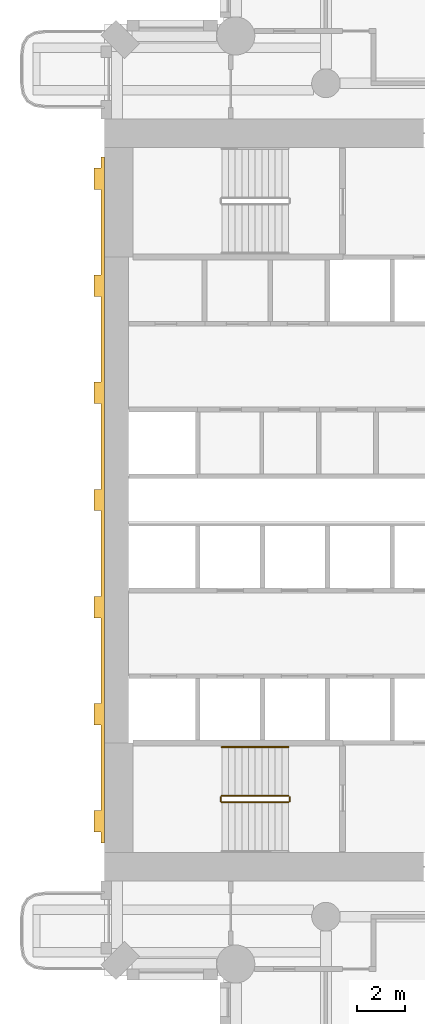
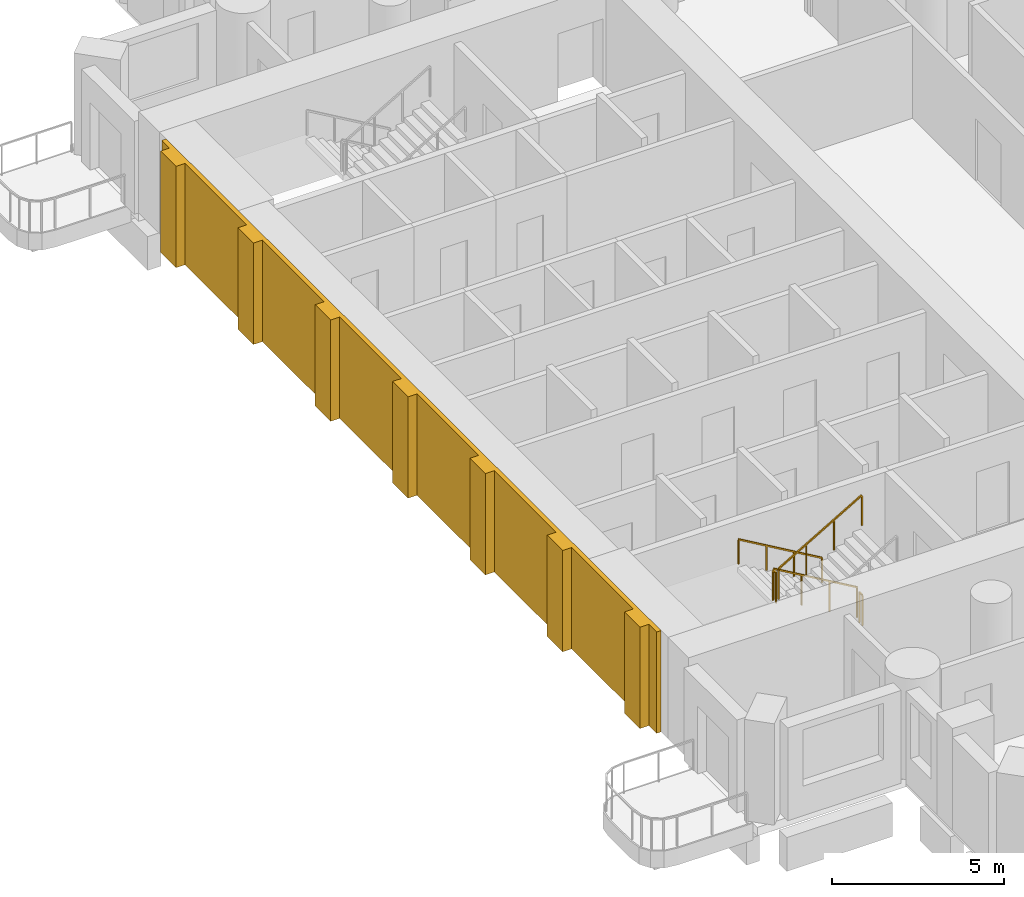
# One storey, part 14 of 20: 5 railings, 1 covering.
"""IFC4 building model written with IfcOpenShell, lengths in metres."""

from ifc_helpers import new_model, si_unit, direction, frame, origin, origin_2d, place, context, subcontext, project, spatial, polyline, rectangle, outline, extrude, material, layer, layer_set, type_object, element, save


model = new_model("IFC4")

# Units and contexts
model_context = context("Model", 3, precision=1e-05, world=origin(), true_north=direction((0.0, 1.0)))
body_context = subcontext(model_context, "Body", "Model", "MODEL_VIEW")
ifc_project = project(units=[si_unit("LENGTHUNIT", "METRE"), si_unit("AREAUNIT", "SQUARE_METRE"), si_unit("VOLUMEUNIT", "CUBIC_METRE"), si_unit("PLANEANGLEUNIT", "RADIAN"), si_unit("MASSUNIT", "GRAM", prefix="KILO")], contexts=[model_context])

# Site, building, storey
site_placement = place(None, origin())
site = spatial("IfcSite", under=ifc_project, at=site_placement, CompositionType="ELEMENT")
building_placement = place(site_placement, origin())
building = spatial("IfcBuilding", under=site, at=building_placement, Name="Cypress Arch Tower", CompositionType="ELEMENT")
storey_placement = place(building_placement, frame((0.0, 0.0, 80.699951171875)))
storey = spatial("IfcBuildingStorey", under=building, at=storey_placement, Name="L14", CompositionType="ELEMENT", Elevation=80.699951171875)

# Railings
ifc_material_1 = material(Name="Black powder-coated steel square bar 48 mm", Category="steel")
railing_type_1 = type_object("IfcRailingType", Name="Stair handrail HR1", PredefinedType="HANDRAIL", material=ifc_material_1)
railing_1_placement = place(storey_placement, frame((-22.27490234375, -10.375, 0.16357421875)))
element("IfcRailing", 1, at=railing_1_placement, inside=storey, type_object=railing_type_1, Name="L14 A stair handrail 1", PredefinedType="HANDRAIL", context=body_context, shape_type="SweptSolid", body=[
    extrude(rectangle(XDim=0.048095703125, YDim=0.048095703125, at=origin_2d()), frame((0.0, 0.0, 0.8759765625), z_axis=(-0.863360870873, 0.0, 0.504586966384), x_axis=(0.0, -1.0, 0.0)), (0.0, 0.0, 1.0), 3.2431640625),
    extrude(rectangle(XDim=0.0419921875, YDim=0.0419921875, at=origin_2d()), origin(), (0.0, 0.0, 1.0), 0.851806640625),
    extrude(rectangle(XDim=0.0419921875, YDim=0.0419921875, at=origin_2d()), frame((-0.933349609375, 0.0, 0.54541015625)), (0.0, 0.0, 1.0), 0.851806640625),
    extrude(rectangle(XDim=0.0419921875, YDim=0.0419921875, at=origin_2d()), frame((-1.86669921875, 0.0, 1.091064453125)), (0.0, 0.0, 1.0), 0.851806640625),
    extrude(rectangle(XDim=0.0419921875, YDim=0.0419921875, at=origin_2d()), frame((-2.800048828125, 0.0, 1.636474609375)), (0.0, 0.0, 1.0), 0.851806640625),
])
ifc_material_2 = material(Name="Black powder-coated steel balusters", Category="steel")
railing_type_2 = type_object("IfcRailingType", Name="Stair well guard G1", PredefinedType="GUARDRAIL", material=ifc_material_2)
railing_2_placement = place(storey_placement, frame((-22.27490234375, -12.425048828125, 0.16357421875)))
element("IfcRailing", 2, at=railing_2_placement, inside=storey, type_object=railing_type_2, Name="L14 A stair guard 1", PredefinedType="GUARDRAIL", context=body_context, shape_type="SweptSolid", body=[
    extrude(rectangle(XDim=0.048095703125, YDim=0.048095703125, at=origin_2d()), frame((0.0, 0.0, 1.076171875), z_axis=(-0.863360870873, 0.0, 0.504586966384), x_axis=(0.0, -1.0, 0.0)), (0.0, 0.0, 1.0), 3.2431640625),
    extrude(rectangle(XDim=0.0419921875, YDim=0.0419921875, at=origin_2d()), origin(), (0.0, 0.0, 1.0), 1.052001953125),
    extrude(rectangle(XDim=0.0419921875, YDim=0.0419921875, at=origin_2d()), frame((-0.933349609375, 0.0, 0.54541015625)), (0.0, 0.0, 1.0), 1.052001953125),
    extrude(rectangle(XDim=0.0419921875, YDim=0.0419921875, at=origin_2d()), frame((-1.86669921875, 0.0, 1.091064453125)), (0.0, 0.0, 1.0), 1.052001953125),
    extrude(rectangle(XDim=0.0419921875, YDim=0.0419921875, at=origin_2d()), frame((-2.800048828125, 0.0, 1.636474609375)), (0.0, 0.0, 1.0), 1.052001953125),
])
railing_3_placement = place(storey_placement, frame((-25.125, -12.47509765625, 1.800048828125)))
element("IfcRailing", 3, at=railing_3_placement, inside=storey, type_object=railing_type_2, Name="L14 A stair guard 2", PredefinedType="GUARDRAIL", context=body_context, shape_type="SweptSolid", body=[
    extrude(rectangle(XDim=0.048095703125, YDim=0.048095703125, at=origin_2d()), frame((0.0, 0.0, 1.076171875), z_axis=(0.0, -1.0, 0.0), x_axis=(1.0, 0.0, 0.0)), (0.0, 0.0, 1.0), 0.1748046875),
    extrude(rectangle(XDim=0.0419921875, YDim=0.0419921875, at=origin_2d()), origin(), (0.0, 0.0, 1.0), 1.052001953125),
    extrude(rectangle(XDim=0.0419921875, YDim=0.0419921875, at=origin_2d()), frame((0.0, -0.1748046875, 0.0)), (0.0, 0.0, 1.0), 1.052001953125),
])
railing_4_placement = place(storey_placement, frame((-25.074951171875, -12.699951171875, 1.963623046875)))
element("IfcRailing", 4, at=railing_4_placement, inside=storey, type_object=railing_type_2, Name="L14 A stair guard 3", PredefinedType="GUARDRAIL", context=body_context, shape_type="SweptSolid", body=[
    extrude(rectangle(XDim=0.048095703125, YDim=0.048095703125, at=origin_2d()), frame((0.0, 0.0, 1.076171875), z_axis=(0.863360870873, 0.0, 0.504586966384), x_axis=(0.0, 1.0, 0.0)), (0.0, 0.0, 1.0), 3.2431640625),
    extrude(rectangle(XDim=0.0419921875, YDim=0.0419921875, at=origin_2d()), origin(), (0.0, 0.0, 1.0), 1.052001953125),
    extrude(rectangle(XDim=0.0419921875, YDim=0.0419921875, at=origin_2d()), frame((0.933349609375, 0.0, 0.54541015625)), (0.0, 0.0, 1.0), 1.052001953125),
    extrude(rectangle(XDim=0.0419921875, YDim=0.0419921875, at=origin_2d()), frame((1.86669921875, 0.0, 1.091064453125)), (0.0, 0.0, 1.0), 1.052001953125),
    extrude(rectangle(XDim=0.0419921875, YDim=0.0419921875, at=origin_2d()), frame((2.800048828125, 0.0, 1.636474609375)), (0.0, 0.0, 1.0), 1.052001953125),
])
railing_5_placement = place(storey_placement, frame((-22.22509765625, -12.47509765625, 0.0)))
element("IfcRailing", 5, at=railing_5_placement, inside=storey, type_object=railing_type_2, Name="L14 A stair guard 4", PredefinedType="GUARDRAIL", context=body_context, shape_type="SweptSolid", body=[
    extrude(rectangle(XDim=0.048095703125, YDim=0.048095703125, at=origin_2d()), frame((0.0, 0.0, 1.076171875), z_axis=(0.0, -1.0, 0.0), x_axis=(1.0, 0.0, 0.0)), (0.0, 0.0, 1.0), 0.1748046875),
    extrude(rectangle(XDim=0.0419921875, YDim=0.0419921875, at=origin_2d()), origin(), (0.0, 0.0, 1.0), 1.052001953125),
    extrude(rectangle(XDim=0.0419921875, YDim=0.0419921875, at=origin_2d()), frame((0.0, -0.1748046875, 0.0)), (0.0, 0.0, 1.0), 1.052001953125),
])

# Covering
ifc_material_3 = material(Name="Brick (red buff blend)", Category="masonry")
ifc_layer = layer(ifc_material_3, 0.449951171875)
ifc_layer_set = layer_set([ifc_layer], Name="West face brick piers WP450")
covering_type = type_object("IfcCoveringType", Name="West face brick piers WP450", PredefinedType="CLADDING", material=ifc_layer_set)
covering_placement = place(storey_placement, origin())
element("IfcCovering", 6, at=covering_placement, inside=storey, type_object=covering_type, Name="West face brick piers L14", PredefinedType="CLADDING", context=body_context, shape_type="SweptSolid", body=[
    extrude(outline(polyline([(-30.14990234375, -13.050048828125), (-30.14990234375, -9.449951171875), (-30.449951171875, -9.449951171875), (-30.449951171875, -8.550048828125), (-30.14990234375, -8.550048828125), (-30.14990234375, -4.949951171875), (-30.449951171875, -4.949951171875), (-30.449951171875, -4.050048828125), (-30.14990234375, -4.050048828125), (-30.14990234375, -0.449951171875), (-30.449951171875, -0.449951171875), (-30.449951171875, 0.449951171875), (-30.14990234375, 0.449951171875), (-30.14990234375, 4.050048828125), (-30.449951171875, 4.050048828125), (-30.449951171875, 4.949951171875), (-30.14990234375, 4.949951171875), (-30.14990234375, 8.550048828125), (-30.449951171875, 8.550048828125), (-30.449951171875, 9.449951171875), (-30.14990234375, 9.449951171875), (-30.14990234375, 13.050048828125), (-30.449951171875, 13.050048828125), (-30.449951171875, 13.949951171875), (-30.14990234375, 13.949951171875), (-30.14990234375, 14.39990234375), (-30.0, 14.39990234375), (-30.0, -14.39990234375), (-30.14990234375, -14.39990234375), (-30.14990234375, -13.949951171875), (-30.449951171875, -13.949951171875), (-30.449951171875, -13.050048828125), (-30.14990234375, -13.050048828125)])), origin(), (0.0, 0.0, 1.0), 3.60009765625),
])

save(model, "model.ifc")
